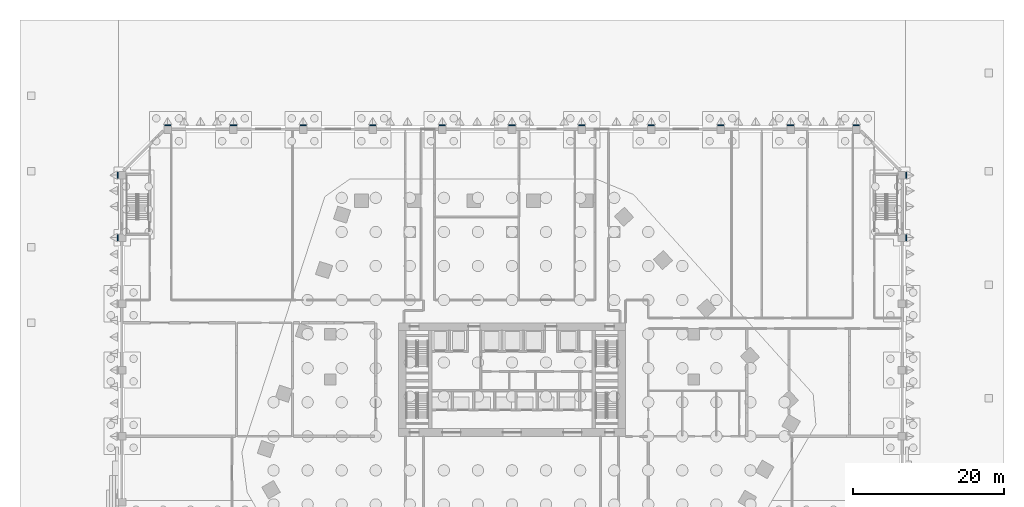
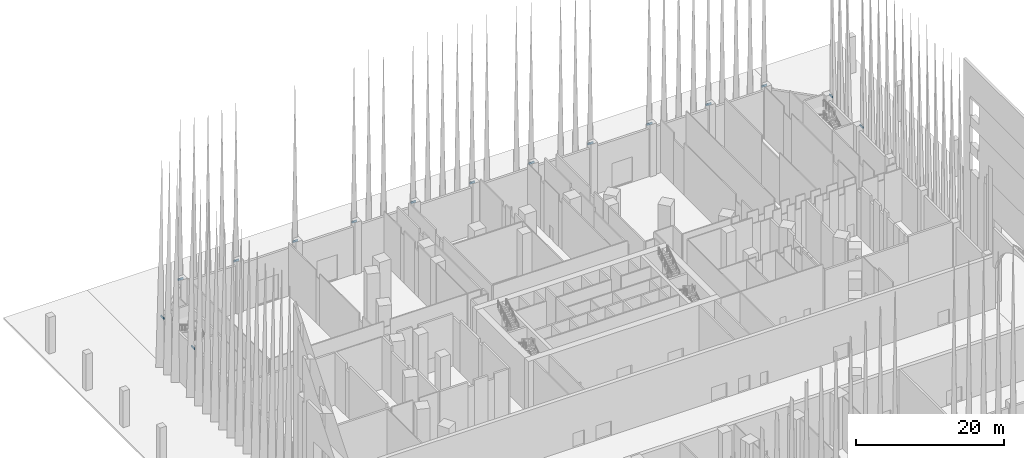
# One storey, part 19 of 32: 15 discrete accessories.
"""IFC4 building model written with IfcOpenShell, lengths in metres."""

from ifc_helpers import new_model, si_unit, direction, frame, origin, origin_2d, place, context, subcontext, project, spatial, rectangle, extrude, material, type_object, element, save


model = new_model("IFC4")

# Units and contexts
model_context = context("Model", 3, precision=1e-05, world=origin(), true_north=direction((0.0, 1.0)))
body_context = subcontext(model_context, "Body", "Model", "MODEL_VIEW")
ifc_project = project(units=[si_unit("LENGTHUNIT", "METRE"), si_unit("AREAUNIT", "SQUARE_METRE"), si_unit("VOLUMEUNIT", "CUBIC_METRE"), si_unit("PLANEANGLEUNIT", "RADIAN"), si_unit("MASSUNIT", "GRAM", prefix="KILO")], contexts=[model_context])

# Site, building, storey
site_placement = place(None, origin())
site = spatial("IfcSite", under=ifc_project, at=site_placement, CompositionType="ELEMENT")
building_placement = place(site_placement, origin())
building = spatial("IfcBuilding", under=site, at=building_placement, Name="Isthmus Gate Tower", CompositionType="ELEMENT")
storey_placement = place(building_placement, origin())
storey = spatial("IfcBuildingStorey", under=building, at=storey_placement, Name="L00", CompositionType="ELEMENT", Elevation=0.0)

# Discrete accessories
ifc_material = material(Name="Structural steel ASTM A572 Gr 50, white paint system", Category="steel")
discrete_accessory_type = type_object("IfcDiscreteAccessoryType", Name="FIN BRACKET 808 X 150 X 300", PredefinedType="BRACKET", material=ifc_material)
for number, where, z_axis, x_axis, name in (
    (1, (52.074951171875, 26.25, 7.85009765625), (0.0, 0.0, 1.0), (1.0, 0.0, 0.0), "FIN BRACKET"),
    (2, (52.074951171875, 34.5, 7.85009765625), (0.0, 0.0, 1.0), (1.0, 0.0, 0.0), "FIN BRACKET"),
    (3, (45.5, 41.074951171875, 7.85009765625), (0.0, 0.0, 1.0), (0.0, 1.0, 0.0), "FIN BRACKET"),
    (4, (36.800048828125, 41.074951171875, 7.85009765625), (0.0, 0.0, 1.0), (0.0, 1.0, 0.0), "FIN BRACKET"),
    (5, (27.60009765625, 41.074951171875, 7.85009765625), (0.0, 0.0, 1.0), (0.0, 1.0, 0.0), "FIN BRACKET"),
    (6, (18.39990234375, 41.074951171875, 7.85009765625), (0.0, 0.0, 1.0), (0.0, 1.0, 0.0), "FIN BRACKET"),
    (7, (9.199951171875, 41.074951171875, 7.85009765625), (0.0, 0.0, 1.0), (0.0, 1.0, 0.0), "FIN BRACKET"),
    (8, (0.0, 41.074951171875, 7.85009765625), (0.0, 0.0, 1.0), (0.0, 1.0, 0.0), "FIN BRACKET"),
    (9, (-9.199951171875, 41.074951171875, 7.85009765625), (0.0, 0.0, 1.0), (0.0, 1.0, 0.0), "FIN BRACKET"),
    (10, (-18.39990234375, 41.074951171875, 7.85009765625), (0.0, 0.0, 1.0), (0.0, 1.0, 0.0), "FIN BRACKET"),
    (11, (-27.60009765625, 41.074951171875, 7.85009765625), (0.0, 0.0, 1.0), (0.0, 1.0, 0.0), "FIN BRACKET"),
    (12, (-36.800048828125, 41.074951171875, 7.85009765625), (0.0, 0.0, 1.0), (0.0, 1.0, 0.0), "FIN BRACKET"),
    (13, (-45.5, 41.074951171875, 7.85009765625), (0.0, 0.0, 1.0), (0.0, 1.0, 0.0), "FIN BRACKET"),
    (14, (-52.074951171875, 34.5, 7.85009765625), (0.0, 0.0, 1.0), (-1.0, 0.0, 0.0), "FIN BRACKET"),
    (15, (-52.074951171875, 26.25, 7.85009765625), (0.0, 0.0, 1.0), (-1.0, 0.0, 0.0), "FIN BRACKET"),
):
    element("IfcDiscreteAccessory", number, at=place(storey_placement, frame(where, z_axis=z_axis, x_axis=x_axis)), inside=storey, type_object=discrete_accessory_type, Name=name, PredefinedType="BRACKET", context=body_context, shape_type="SweptSolid", body=[
        extrude(rectangle(XDim=0.14990234375, YDim=0.807861328125, at=origin_2d()), origin(), (0.0, 0.0, 1.0), 0.300048828125),
    ])

save(model, "model.ifc")
